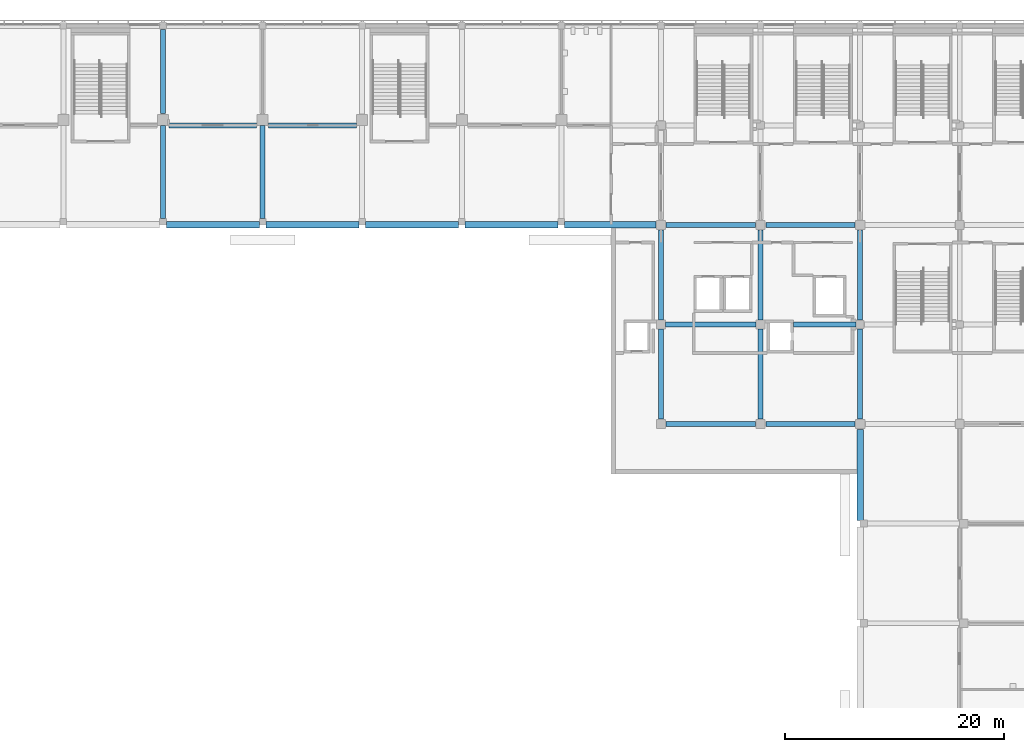
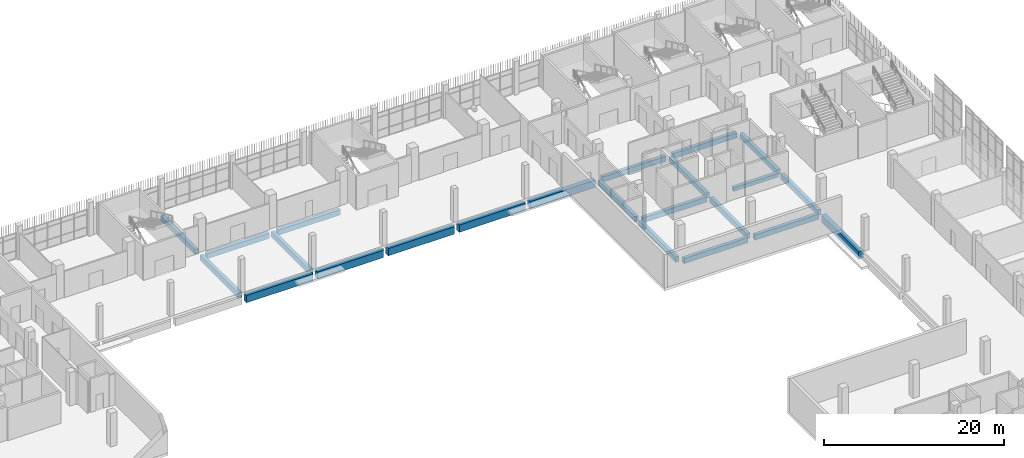
# One storey, part 35 of 126: 23 beams.
"""IFC4 building model written with IfcOpenShell, lengths in metres."""

from ifc_helpers import new_model, si_unit, direction, frame, origin, origin_2d, place, context, subcontext, project, spatial, rectangle, extrude, material, material_profile, profile_set, type_object, element, save


model = new_model("IFC4")

# Units and contexts
model_context = context("Model", 3, precision=1e-05, world=origin(), true_north=direction((0.0, 1.0)))
body_context = subcontext(model_context, "Body", "Model", "MODEL_VIEW")
ifc_project = project(units=[si_unit("LENGTHUNIT", "METRE"), si_unit("AREAUNIT", "SQUARE_METRE"), si_unit("VOLUMEUNIT", "CUBIC_METRE"), si_unit("PLANEANGLEUNIT", "RADIAN"), si_unit("MASSUNIT", "GRAM", prefix="KILO")], contexts=[model_context])

# Site, building, storey
site_placement = place(None, origin())
site = spatial("IfcSite", under=ifc_project, at=site_placement, CompositionType="ELEMENT")
building_placement = place(site_placement, origin())
building = spatial("IfcBuilding", under=site, at=building_placement, Name="Shirokan Park Arena", CompositionType="ELEMENT")
storey_placement = place(building_placement, frame((0.0, 0.0, 6.3701171875)))
storey = spatial("IfcBuildingStorey", under=building, at=storey_placement, Name="L01", CompositionType="ELEMENT", Elevation=6.3701171875)

# Beams
ifc_material = material(Name="Concrete C35", Category="concrete")
ifc_material_profile_1 = material_profile(ifc_material, rectangle(XDim=0.449951171875, YDim=0.5, at=origin_2d()), Name="450x500")
ifc_profile_set_1 = profile_set([ifc_material_profile_1], Name="Concrete C35")
beam_type_1 = type_object("IfcBeamType", Name="RC girder 450x500", PredefinedType="BEAM", material=ifc_profile_set_1)
beam_1_placement = place(storey_placement, frame((121.300048828125, 81.89990234375, -0.60009765625), z_axis=(1.0, 0.0, 0.0), x_axis=(0.0, 1.0, 0.0)))
element("IfcBeam", 1, at=beam_1_placement, inside=storey, type_object=beam_type_1, Name="Girder 14K-15K L01", PredefinedType="BEAM", context=body_context, shape_type="SweptSolid", body=[
    extrude(rectangle(XDim=0.449951171875, YDim=0.5, at=origin_2d()), origin(), (0.0, 0.0, 1.0), 5.699951171875),
])
ifc_material_profile_2 = material_profile(ifc_material, rectangle(XDim=0.449951171875, YDim=0.64990234375, at=origin_2d()), Name="450x650")
ifc_profile_set_2 = profile_set([ifc_material_profile_2], Name="Concrete C35")
beam_type_2 = type_object("IfcBeamType", Name="RC girder 450x650", PredefinedType="BEAM", material=ifc_profile_set_2)
beam_2_placement = place(storey_placement, frame((63.699951171875, 101.2001953125, -0.675048828125), z_axis=(0.0, 1.0, 0.0), x_axis=(-1.0, 0.0, 0.0)))
element("IfcBeam", 2, at=beam_2_placement, inside=storey, type_object=beam_type_2, Name="Girder 8M-8N L01", PredefinedType="BEAM", context=body_context, shape_type="SweptSolid", body=[
    extrude(rectangle(XDim=0.449951171875, YDim=0.64990234375, at=origin_2d()), origin(), (0.0, 0.0, 1.0), 7.6748046875),
])
ifc_material_profile_3 = material_profile(ifc_material, rectangle(XDim=0.449951171875, YDim=0.699951171875, at=origin_2d()), Name="450x700")
ifc_profile_set_3 = profile_set([ifc_material_profile_3], Name="Concrete C35")
beam_type_3 = type_object("IfcBeamType", Name="RC girder 450x700", PredefinedType="BEAM", material=ifc_profile_set_3)
beam_3_placement = place(storey_placement, frame((64.25, 100.10009765625, -0.7001953125), z_axis=(1.0, 0.0, 0.0), x_axis=(0.0, 1.0, 0.0)))
element("IfcBeam", 3, at=beam_3_placement, inside=storey, type_object=beam_type_3, Name="Girder 8M-9M L01", PredefinedType="BEAM", context=body_context, shape_type="SweptSolid", body=[
    extrude(rectangle(XDim=0.449951171875, YDim=0.699951171875, at=origin_2d()), origin(), (0.0, 0.0, 1.0), 8.0),
])
beam_4_placement = place(storey_placement, frame((73.35009765625, 100.10009765625, -0.7001953125), z_axis=(1.0, 0.0, 0.0), x_axis=(0.0, 1.0, 0.0)))
element("IfcBeam", 4, at=beam_4_placement, inside=storey, type_object=beam_type_3, Name="Girder 9M-10M L01", PredefinedType="BEAM", context=body_context, shape_type="SweptSolid", body=[
    extrude(rectangle(XDim=0.449951171875, YDim=0.699951171875, at=origin_2d()), origin(), (0.0, 0.0, 1.0), 8.02490234375),
])
beam_5_placement = place(storey_placement, frame((109.675048828125, 72.800048828125, -0.7001953125), z_axis=(1.0, 0.0, 0.0), x_axis=(0.0, 1.0, 0.0)))
element("IfcBeam", 5, at=beam_5_placement, inside=storey, type_object=beam_type_3, Name="Girder 13J-14J L01", PredefinedType="BEAM", context=body_context, shape_type="SweptSolid", body=[
    extrude(rectangle(XDim=0.449951171875, YDim=0.699951171875, at=origin_2d()), origin(), (0.0, 0.0, 1.0), 8.14990234375),
])
beam_6_placement = place(storey_placement, frame((109.625, 81.89990234375, -0.7001953125), z_axis=(1.0, 0.0, 0.0), x_axis=(0.0, 1.0, 0.0)))
element("IfcBeam", 6, at=beam_6_placement, inside=storey, type_object=beam_type_3, Name="Girder 13K-14K L01", PredefinedType="BEAM", context=body_context, shape_type="SweptSolid", body=[
    extrude(rectangle(XDim=0.449951171875, YDim=0.699951171875, at=origin_2d()), origin(), (0.0, 0.0, 1.0), 8.25),
])
beam_7_placement = place(storey_placement, frame((109.675048828125, 91.0, -0.7001953125), z_axis=(1.0, 0.0, 0.0), x_axis=(0.0, 1.0, 0.0)))
element("IfcBeam", 7, at=beam_7_placement, inside=storey, type_object=beam_type_3, Name="Girder 13L-14L L01", PredefinedType="BEAM", context=body_context, shape_type="SweptSolid", body=[
    extrude(rectangle(XDim=0.449951171875, YDim=0.699951171875, at=origin_2d()), origin(), (0.0, 0.0, 1.0), 8.14990234375),
])
beam_8_placement = place(storey_placement, frame((118.775146484375, 72.800048828125, -0.7001953125), z_axis=(1.0, 0.0, 0.0), x_axis=(0.0, 1.0, 0.0)))
element("IfcBeam", 8, at=beam_8_placement, inside=storey, type_object=beam_type_3, Name="Girder 14J-15J L01", PredefinedType="BEAM", context=body_context, shape_type="SweptSolid", body=[
    extrude(rectangle(XDim=0.449951171875, YDim=0.699951171875, at=origin_2d()), origin(), (0.0, 0.0, 1.0), 8.149658203125),
])
beam_9_placement = place(storey_placement, frame((118.775146484375, 91.0, -0.7001953125), z_axis=(1.0, 0.0, 0.0), x_axis=(0.0, 1.0, 0.0)))
element("IfcBeam", 9, at=beam_9_placement, inside=storey, type_object=beam_type_3, Name="Girder 14L-15L L01", PredefinedType="BEAM", context=body_context, shape_type="SweptSolid", body=[
    extrude(rectangle(XDim=0.449951171875, YDim=0.699951171875, at=origin_2d()), origin(), (0.0, 0.0, 1.0), 8.1748046875),
])
for number, where, z_axis, x_axis, name in (
    (10, (109.199951171875, 73.275146484375, -0.7001953125), (0.0, 1.0, 0.0), (-1.0, 0.0, 0.0), "Girder 13J-13K L01"),
    (11, (109.199951171875, 82.3251953125, -0.7001953125), (0.0, 1.0, 0.0), (-1.0, 0.0, 0.0), "Girder 13K-13L L01"),
    (12, (118.300048828125, 73.275146484375, -0.7001953125), (0.0, 1.0, 0.0), (-1.0, 0.0, 0.0), "Girder 14J-14K L01"),
    (13, (118.300048828125, 82.3251953125, -0.7001953125), (0.0, 1.0, 0.0), (-1.0, 0.0, 0.0), "Girder 14K-14L L01"),
):
    element("IfcBeam", number, at=place(storey_placement, frame(where, z_axis=z_axis, x_axis=x_axis)), inside=storey, type_object=beam_type_3, Name=name, PredefinedType="BEAM", context=body_context, shape_type="SweptSolid", body=[
        extrude(rectangle(XDim=0.449951171875, YDim=0.699951171875, at=origin_2d()), origin(), (0.0, 0.0, 1.0), 8.19970703125),
    ])
beam_10_placement = place(storey_placement, frame((127.39990234375, 73.275146484375, -0.7001953125), z_axis=(0.0, 1.0, 0.0), x_axis=(-1.0, 0.0, 0.0)))
element("IfcBeam", 14, at=beam_10_placement, inside=storey, type_object=beam_type_3, Name="Girder 15J-15K L01", PredefinedType="BEAM", context=body_context, shape_type="SweptSolid", body=[
    extrude(rectangle(XDim=0.449951171875, YDim=0.699951171875, at=origin_2d()), origin(), (0.0, 0.0, 1.0), 8.224853515625),
])
beam_11_placement = place(storey_placement, frame((127.39990234375, 82.300048828125, -0.7001953125), z_axis=(0.0, 1.0, 0.0), x_axis=(-1.0, 0.0, 0.0)))
element("IfcBeam", 15, at=beam_11_placement, inside=storey, type_object=beam_type_3, Name="Girder 15K-15L L01", PredefinedType="BEAM", context=body_context, shape_type="SweptSolid", body=[
    extrude(rectangle(XDim=0.449951171875, YDim=0.699951171875, at=origin_2d()), origin(), (0.0, 0.0, 1.0), 8.249755859375),
])
ifc_material_profile_4 = material_profile(ifc_material, rectangle(XDim=0.449951171875, YDim=0.75, at=origin_2d()), Name="450x750")
ifc_profile_set_4 = profile_set([ifc_material_profile_4], Name="Concrete C35")
beam_type_4 = type_object("IfcBeamType", Name="RC girder 450x750", PredefinedType="BEAM", material=ifc_profile_set_4)
for number, where, z_axis, x_axis, name in (
    (16, (63.699951171875, 91.60009765625, -0.72509765625), (0.0, 1.0, 0.0), (-1.0, 0.0, 0.0), "Girder 8L-8M L01"),
    (17, (72.800048828125, 91.60009765625, -0.72509765625), (0.0, 1.0, 0.0), (-1.0, 0.0, 0.0), "Girder 9L-9M L01"),
):
    element("IfcBeam", number, at=place(storey_placement, frame(where, z_axis=z_axis, x_axis=x_axis)), inside=storey, type_object=beam_type_4, Name=name, PredefinedType="BEAM", context=body_context, shape_type="SweptSolid", body=[
        extrude(rectangle(XDim=0.449951171875, YDim=0.75, at=origin_2d()), origin(), (0.0, 0.0, 1.0), 8.499755859375),
    ])
ifc_material_profile_5 = material_profile(ifc_material, rectangle(XDim=0.60009765625, YDim=1.0, at=origin_2d()), Name="600x1000")
ifc_profile_set_5 = profile_set([ifc_material_profile_5], Name="Concrete C35")
beam_type_5 = type_object("IfcBeamType", Name="RC girder 600x1000", PredefinedType="BEAM", material=ifc_profile_set_5)
beam_12_placement = place(storey_placement, frame((64.0, 91.0, -0.85009765625), z_axis=(1.0, 0.0, 0.0), x_axis=(0.0, 1.0, 0.0)))
element("IfcBeam", 18, at=beam_12_placement, inside=storey, type_object=beam_type_5, Name="Girder 8L-9L L01", PredefinedType="BEAM", context=body_context, shape_type="SweptSolid", body=[
    extrude(rectangle(XDim=0.60009765625, YDim=1.0, at=origin_2d()), origin(), (0.0, 0.0, 1.0), 8.5),
])
for number, where, z_axis, x_axis, name in (
    (19, (73.10009765625, 91.0, -0.85009765625), (1.0, 0.0, 0.0), (0.0, 1.0, 0.0), "Girder 9L-10L L01"),
    (20, (82.2001953125, 91.0, -0.85009765625), (1.0, 0.0, 0.0), (0.0, 1.0, 0.0), "Girder 10L-11L L01"),
    (21, (91.300048828125, 91.0, -0.85009765625), (1.0, 0.0, 0.0), (0.0, 1.0, 0.0), "Girder 11L-12L L01"),
):
    element("IfcBeam", number, at=place(storey_placement, frame(where, z_axis=z_axis, x_axis=x_axis)), inside=storey, type_object=beam_type_5, Name=name, PredefinedType="BEAM", context=body_context, shape_type="SweptSolid", body=[
        extrude(rectangle(XDim=0.60009765625, YDim=1.0, at=origin_2d()), origin(), (0.0, 0.0, 1.0), 8.499755859375),
    ])
beam_13_placement = place(storey_placement, frame((100.400146484375, 91.0, -0.85009765625), z_axis=(1.0, 0.0, 0.0), x_axis=(0.0, 1.0, 0.0)))
element("IfcBeam", 22, at=beam_13_placement, inside=storey, type_object=beam_type_5, Name="Girder 12L-13L L01", PredefinedType="BEAM", context=body_context, shape_type="SweptSolid", body=[
    extrude(rectangle(XDim=0.60009765625, YDim=1.0, at=origin_2d()), origin(), (0.0, 0.0, 1.0), 8.32470703125),
])
beam_14_placement = place(storey_placement, frame((127.39990234375, 64.0, -0.85009765625), z_axis=(0.0, 1.0, 0.0), x_axis=(-1.0, 0.0, 0.0)))
element("IfcBeam", 23, at=beam_14_placement, inside=storey, type_object=beam_type_5, Name="Girder 15H-15J L01", PredefinedType="BEAM", context=body_context, shape_type="SweptSolid", body=[
    extrude(rectangle(XDim=0.60009765625, YDim=1.0, at=origin_2d()), origin(), (0.0, 0.0, 1.0), 8.324951171875),
])

save(model, "model.ifc")
